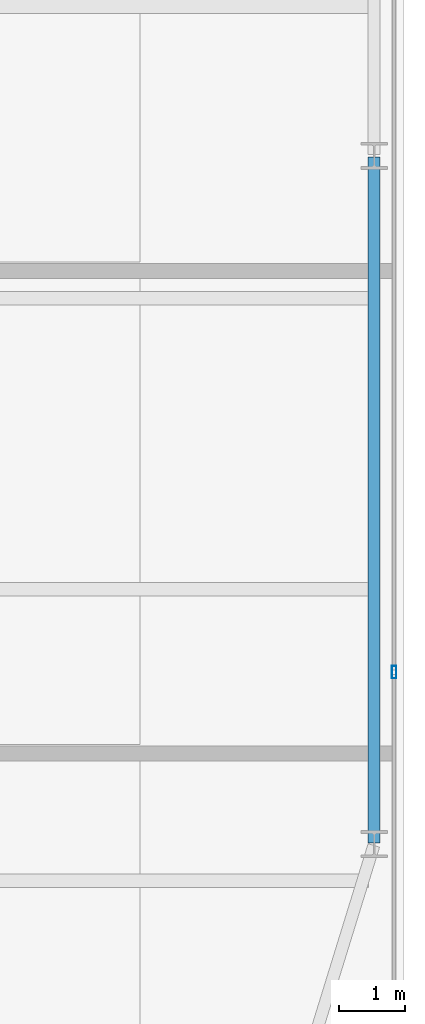
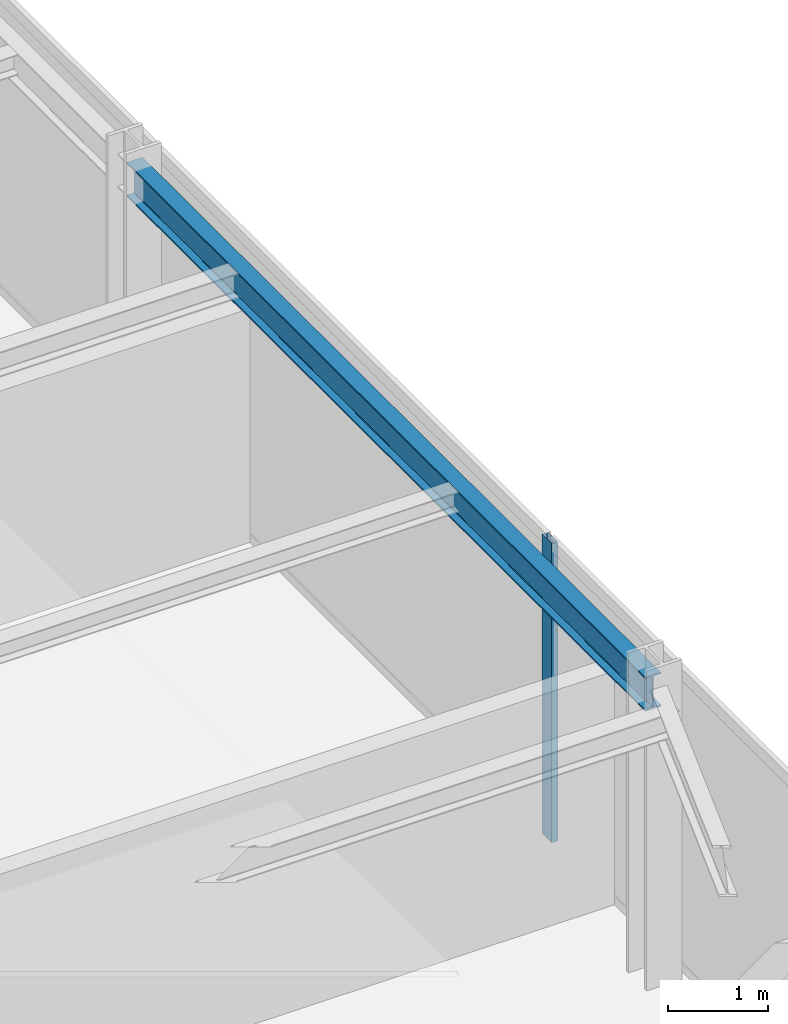
# One storey, part 16 of 29: 1 beam, 1 member, 1 element without a shape of its own.
"""IFC4 building model written with IfcOpenShell, lengths in metres."""

from ifc_helpers import new_model, si_unit, direction, frame, origin, origin_2d, place, context, subcontext, project, spatial, hollow_rectangle, i_section, extrude, source, transform, mapped, material, layer, layer_set, material_profile, profile_set, type_object, type_shapes, element, aggregate, save


model = new_model("IFC4")

# Units and contexts
model_context = context("Model", 3, precision=1e-05, world=origin(), true_north=direction((0.0, 1.0)))
body_context = subcontext(model_context, "Body", "Model", "MODEL_VIEW")
ifc_project = project(units=[si_unit("LENGTHUNIT", "METRE"), si_unit("AREAUNIT", "SQUARE_METRE"), si_unit("VOLUMEUNIT", "CUBIC_METRE"), si_unit("PLANEANGLEUNIT", "RADIAN"), si_unit("MASSUNIT", "GRAM", prefix="KILO")], contexts=[model_context])

# Site, building, storey
site_placement = place(None, origin())
site = spatial("IfcSite", under=ifc_project, at=site_placement, CompositionType="ELEMENT")
building_placement = place(site_placement, origin())
building = spatial("IfcBuilding", under=site, at=building_placement, Name="Varnel Quay Broadcast Tower", CompositionType="ELEMENT")
storey_placement = place(building_placement, frame((0.0, 0.0, 74.39990234375)))
storey = spatial("IfcBuildingStorey", under=building, at=storey_placement, Name="L17", CompositionType="ELEMENT", Elevation=74.39990234375)

# Beam
ifc_material_1 = material(Name="Structural Steel CSA G40.21 350W", Category="steel")
ifc_material_profile_1 = material_profile(ifc_material_1, i_section(OverallWidth=0.180908203125, OverallDepth=0.4169921875, WebThickness=0.010986328125, FlangeThickness=0.018310546875, FilletRadius=0.011962890625, at=origin_2d()), Name="W410X85")
ifc_profile_set_1 = profile_set([ifc_material_profile_1], Name="Structural Steel CSA G40.21 350W")
beam_type = type_object("IfcBeamType", Name="Beam_W410X85", PredefinedType="SPANDREL", material=ifc_profile_set_1)
shared_shape_1 = source(origin(), body_context, "Body", "SweptSolid", [
    extrude(i_section(OverallWidth=0.180908203125, OverallDepth=0.4169921875, WebThickness=0.010986328125, FlangeThickness=0.018310546875, FilletRadius=0.011962890625, at=origin_2d()), origin(), (0.0, 0.0, 1.0), 10.35986328125),
])
type_shapes(beam_type, [shared_shape_1])
beam_placement = place(storey_placement, frame((65.550048828125, 15.02001953125, 3.441650390625), z_axis=(0.0, 1.0, 0.0), x_axis=(-1.0, 0.0, 0.0)))
element("IfcBeam", 1, at=beam_placement, inside=storey, type_object=beam_type, Name="L17 East Spandrel TC-E1-TC-E2", PredefinedType="SPANDREL", context=body_context, shape_type="MappedRepresentation", body=[
    mapped(shared_shape_1, transform((0.0, 0.0, 0.0), x_axis=(1.0, 0.0, 0.0), y_axis=(0.0, 1.0, 0.0), z_axis=(0.0, 0.0, 1.0), scale=1.0)),
])

# Curtain wall, member
ifc_material_2 = material(Name="Anodised Bronze Aluminium 6063-T6", Category="aluminium")
ifc_layer = layer(ifc_material_2, 0.18994140625, Name="Anodised Bronze Aluminium 6063-T6")
ifc_layer_set = layer_set([ifc_layer], Name="Anodised Bronze Aluminium 6063-T6")
curtain_wall_type = type_object("IfcCurtainWallType", Name="CW_LowerTower", PredefinedType="NOTDEFINED", material=ifc_layer_set)
curtain_wall_placement = place(storey_placement, origin())
curtain_wall = element("IfcCurtainWall", 2, at=curtain_wall_placement, inside=storey, type_object=curtain_wall_type, Name="L17 East Unitised Curtain Wall", PredefinedType="NOTDEFINED")
ifc_material_profile_2 = material_profile(ifc_material_2, hollow_rectangle(XDim=0.070068359375, YDim=0.18994140625, WallThickness=0.00390625, at=origin_2d()), Name="ALU70X190X4")
ifc_profile_set_2 = profile_set([ifc_material_profile_2], Name="Anodised Bronze Aluminium 6063-T6")
member_type = type_object("IfcMemberType", Name="Mull_CWS-02", PredefinedType="MULLION", material=ifc_profile_set_2)
shared_shape_2 = source(origin(), body_context, "Body", "SweptSolid", [
    extrude(hollow_rectangle(XDim=0.070068359375, YDim=0.18994140625, WallThickness=0.00390625, at=origin_2d()), origin(), (0.0, 0.0, 1.0), 3.650146484375),
])
type_shapes(member_type, [shared_shape_2])
member_placement = place(storey_placement, frame((65.85009765625, 17.60009765625, 0.0), z_axis=(0.0, 0.0, 1.0), x_axis=(-1.0, 0.0, 0.0)))
member = element("IfcMember", 3, at=member_placement, type_object=member_type, Name="CWS-02 mullion 2", PredefinedType="MULLION", context=body_context, shape_type="MappedRepresentation", body=[
    mapped(shared_shape_2, transform((0.0, 0.0, 0.0), x_axis=(1.0, 0.0, 0.0), y_axis=(0.0, 1.0, 0.0), z_axis=(0.0, 0.0, 1.0), scale=1.0)),
])
aggregate(curtain_wall, [member])

save(model, "model.ifc")
